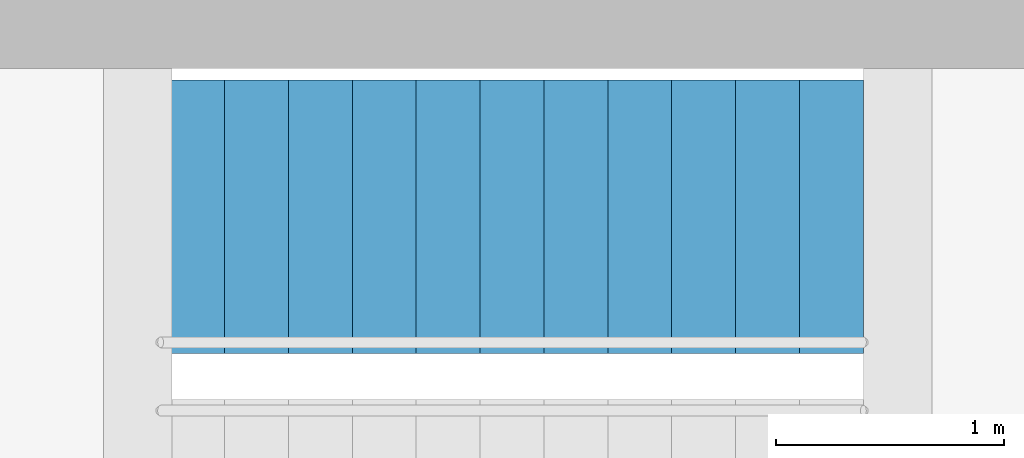
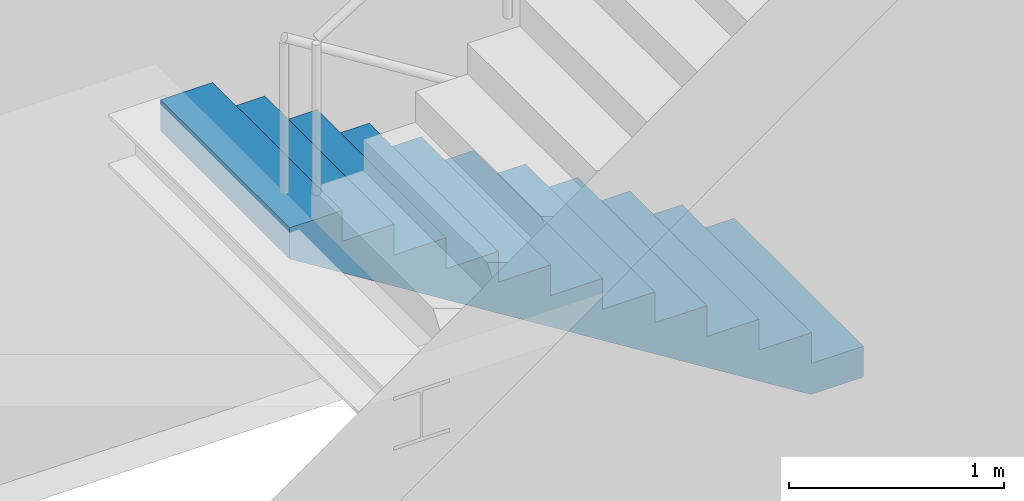
# One storey, part 15 of 16: 1 stair flight, 1 element without a shape of its own.
"""IFC4 building model written with IfcOpenShell, lengths in metres."""

import ifcopenshell
import ifcopenshell.guid

model = None  # the IFC model being written
_history = None  # IfcOwnerHistory: only IFC2X3 demands one
_inside = {}  # id of a spatial element -> (the spatial element, [elements in it])
_under = {}  # id of a project, library or spatial element -> (it, [spatial elements below it])
_declared = {}  # id of a project -> (the project, [libraries it declares])
_typed = {}  # id of a type object -> (the type object, [elements of that type])
_made_of = {}  # id of a material, layer set ... -> (it, [elements and type objects made of it])


def new_model(schema):
    """Start an empty IFC model of exactly this schema.

    Asked for "IFC4X3", IfcOpenShell would pick the latest addendum, in which some entities
    have other attributes; the version numbers below select the first issue.
    IFC2X3 requires an IfcOwnerHistory on every rooted entity: one is made here for all.
    """
    global model, _history
    if schema == "IFC4X3":
        model = ifcopenshell.file(schema_version=(4, 3, 0, 0))
    else:
        model = ifcopenshell.file(schema=schema)
    _inside.clear()
    _under.clear()
    _declared.clear()
    _typed.clear()
    _made_of.clear()
    _history = None
    if model.schema == "IFC2X3":
        org = make("IfcOrganization", Name="unknown")
        user = make(
            "IfcPersonAndOrganization",
            ThePerson=make("IfcPerson", FamilyName="unknown"),
            TheOrganization=org,
        )
        app = make(
            "IfcApplication",
            ApplicationDeveloper=org,
            Version="unknown",
            ApplicationFullName="unknown",
            ApplicationIdentifier="unknown",
        )
        _history = make(
            "IfcOwnerHistory",
            OwningUser=user,
            OwningApplication=app,
            ChangeAction="ADDED",
            CreationDate=0,
        )
    return model


def make(cls, **values):
    """One entity of the class cls with the attributes given. An attribute that is None is left unset."""
    return model.create_entity(
        cls, **{name: value for name, value in values.items() if value is not None}
    )


def rooted(cls, **values):
    """An entity with a GlobalId (a new one), such as an element, a storey or a relation."""
    return make(cls, GlobalId=ifcopenshell.guid.new(), OwnerHistory=_history, **values)


def si_unit(unit_type, name, prefix=None):
    """IfcSIUnit, for example si_unit("LENGTHUNIT", "METRE", prefix="MILLI")."""
    return make("IfcSIUnit", UnitType=unit_type, Prefix=prefix, Name=name)


def assignment(units):
    """IfcUnitAssignment: the units of a project."""
    return None if units is None else make("IfcUnitAssignment", Units=units)


def point(xyz):
    """IfcCartesianPoint."""
    return None if xyz is None else make("IfcCartesianPoint", Coordinates=xyz)


def direction(xyz):
    """IfcDirection."""
    return None if xyz is None else make("IfcDirection", DirectionRatios=xyz)


def frame(location, z_axis=None, x_axis=None):
    """IfcAxis2Placement3D, a coordinate frame: its origin and axes. An axis left out is left unset."""
    return make(
        "IfcAxis2Placement3D",
        Location=point(location),
        Axis=direction(z_axis),
        RefDirection=direction(x_axis),
    )


def origin():
    """The frame at (0, 0, 0) with its axes left unset."""
    return frame((0.0, 0.0, 0.0))


def place(relative_to, where):
    """IfcLocalPlacement: puts the frame where relative to a parent placement (None: the world)."""
    return make(
        "IfcLocalPlacement", PlacementRelTo=relative_to, RelativePlacement=where
    )


def context(
    kind, dimensions, precision=None, world=None, true_north=None, identifier=None
):
    """IfcGeometricRepresentationContext, for example the 3D "Model" context."""
    return make(
        "IfcGeometricRepresentationContext",
        ContextIdentifier=identifier,
        ContextType=kind,
        CoordinateSpaceDimension=dimensions,
        Precision=precision,
        WorldCoordinateSystem=world,
        TrueNorth=true_north,
    )


def subcontext(parent, identifier, kind, view, scale=None):
    """IfcGeometricRepresentationSubContext, for example "Body" below "Model"."""
    return make(
        "IfcGeometricRepresentationSubContext",
        ContextIdentifier=identifier,
        ContextType=kind,
        ParentContext=parent,
        TargetScale=scale,
        TargetView=view,
    )


def project(units=None, contexts=None):
    """IfcProject with its units and contexts."""
    return rooted(
        "IfcProject",
        Name="project",
        RepresentationContexts=contexts,
        UnitsInContext=assignment(units),
    )


def spatial(cls, under=None, at=None, **own):
    """A site, building, storey or space (cls), placed at a placement, below another one or the project."""
    s = rooted(cls, ObjectPlacement=at, **own)
    if under is not None:
        _under.setdefault(under.id(), (under, []))[1].append(s)
    return s


def polyline(points):
    """IfcPolyline through the points."""
    return make("IfcPolyline", Points=[point(p) for p in points])


def outline(outer, holes=None, kind="AREA"):
    """IfcArbitraryClosedProfileDef: a profile drawn as a closed curve; with holes, ...WithVoids."""
    if holes is None:
        return make("IfcArbitraryClosedProfileDef", ProfileType=kind, OuterCurve=outer)
    return make(
        "IfcArbitraryProfileDefWithVoids",
        ProfileType=kind,
        OuterCurve=outer,
        InnerCurves=holes,
    )


def extrude(swept, where, along, depth):
    """IfcExtrudedAreaSolid: the profile swept, set in the frame where, extruded along a direction by depth."""
    return make(
        "IfcExtrudedAreaSolid",
        SweptArea=swept,
        Position=where,
        ExtrudedDirection=direction(along),
        Depth=depth,
    )


def shape(context_of_items, identifier, shape_type, items):
    """IfcShapeRepresentation: the items that make up one representation, for example the "Body"."""
    return make(
        "IfcShapeRepresentation",
        ContextOfItems=context_of_items,
        RepresentationIdentifier=identifier,
        RepresentationType=shape_type,
        Items=items,
    )


def material(Name=None, Category=None):
    """IfcMaterial."""
    return make("IfcMaterial", Name=Name, Category=Category)


def made_of(thing, what):
    """Note that an element or type object is made of a material, layer set ...; save() writes the relation."""
    if what is not None:
        _made_of.setdefault(what.id(), (what, []))[1].append(thing)
    return thing


def type_object(cls, material=None, **own):
    """A type object (cls), such as IfcWallType, which elements share."""
    return made_of(rooted(cls, **own), material)


def element(
    cls,
    number,
    at=None,
    inside=None,
    cuts=None,
    type_object=None,
    material=None,
    context=None,
    identifier="Body",
    shape_type=None,
    held_by="IfcProductDefinitionShape",
    body=None,
    shapes=None,
    **own,
):
    """One element of the class cls, such as IfcWall. Its Tag is "e" and its number.

    at: its placement. inside: the storey or other place that contains it. cuts: it is an
    opening in that element (IfcRelVoidsElement). A single representation is given by context,
    identifier, shape_type and body (its items); several are given by shapes. held_by: the class
    of the entity that holds the representations. save() writes the other relations.
    """
    e = rooted(cls, Tag="e%d" % number, ObjectPlacement=at, **own)
    if body is not None:
        shapes = [shape(context, identifier, shape_type, body)]
    if shapes is not None:
        e.Representation = make(held_by, Representations=shapes)
    if inside is not None:
        _inside.setdefault(inside.id(), (inside, []))[1].append(e)
    if cuts is not None:
        rooted(
            "IfcRelVoidsElement", RelatingBuildingElement=cuts, RelatedOpeningElement=e
        )
    if type_object is not None:
        _typed.setdefault(type_object.id(), (type_object, []))[1].append(e)
    return made_of(e, material)


def aggregate(whole, parts):
    """IfcRelAggregates: a whole, such as a stair, and the parts it consists of."""
    return rooted("IfcRelAggregates", RelatingObject=whole, RelatedObjects=parts)


def save(model, path):
    """Write the relations noted so far, then the file.

    IfcRelAggregates (storeys below a building ...), IfcRelContainedInSpatialStructure (elements
    in a storey), IfcRelDefinesByType, IfcRelAssociatesMaterial and IfcRelDeclares: one each for
    every whole, place, type object, material and project.
    """
    for whole, parts in _under.values():
        aggregate(whole, parts)
    for where, things in _inside.values():
        rooted(
            "IfcRelContainedInSpatialStructure",
            RelatedElements=things,
            RelatingStructure=where,
        )
    for kind, things in _typed.values():
        rooted("IfcRelDefinesByType", RelatedObjects=things, RelatingType=kind)
    for what, things in _made_of.values():
        rooted("IfcRelAssociatesMaterial", RelatedObjects=things, RelatingMaterial=what)
    for by, libraries in _declared.values():
        rooted("IfcRelDeclares", RelatingContext=by, RelatedDefinitions=libraries)
    model.write(path)


model = new_model("IFC4")

# Units and contexts
model_context = context("Model", 3, precision=1e-05, world=origin(), true_north=direction((0.0, 1.0)))
body_context = subcontext(model_context, "Body", "Model", "MODEL_VIEW")
ifc_project = project(units=[si_unit("LENGTHUNIT", "METRE"), si_unit("AREAUNIT", "SQUARE_METRE"), si_unit("VOLUMEUNIT", "CUBIC_METRE"), si_unit("PLANEANGLEUNIT", "RADIAN"), si_unit("MASSUNIT", "GRAM", prefix="KILO")], contexts=[model_context])

# Site, building, storey
site_placement = place(None, origin())
site = spatial("IfcSite", under=ifc_project, at=site_placement, CompositionType="ELEMENT")
building_placement = place(site_placement, origin())
building = spatial("IfcBuilding", under=site, at=building_placement, Name="Rheinbord Bourse Tower", CompositionType="ELEMENT")
storey_placement = place(building_placement, frame((0.0, 0.0, 219.39990234375)))
storey = spatial("IfcBuildingStorey", under=building, at=storey_placement, Name="L49", CompositionType="ELEMENT", Elevation=219.39990234375)

# Stair, stair flight
ifc_material_1 = material(Name="Concrete C30/37", Category="concrete")
stair_type = type_object("IfcStairType", Name="CORE STAIR HALF TURN 4200", PredefinedType="HALF_TURN_STAIR", material=ifc_material_1)
stair_placement = place(storey_placement, origin())
stair = element("IfcStair", 1, at=stair_placement, inside=storey, type_object=stair_type, Name="Stair ST4 L49, type CS6", PredefinedType="HALF_TURN_STAIR")
ifc_material_2 = material(Name="Concrete C30/37", Category="concrete")
stair_flight_type = type_object("IfcStairFlightType", Name="CORE STAIR FLIGHT 1200, 12 RISERS", PredefinedType="STRAIGHT", material=ifc_material_2)
stair_flight_placement = place(storey_placement, frame((52.050048828125, 30.949951171875, 0.0), z_axis=(0.0, 0.0, 1.0), x_axis=(-1.0, 0.0, 0.0)))
stair_flight = element("IfcStairFlight", 2, at=stair_flight_placement, type_object=stair_flight_type, Name="STAIR L49 ST4 F1", NumberOfRisers=12, NumberOfTreads=11, PredefinedType="STRAIGHT", RiserHeight=0.175, TreadLength=0.28, context=body_context, shape_type="SweptSolid", body=[
    extrude(outline(polyline([(0.0, 0.0), (0.0, 0.175048828125), (0.280029296875, 0.175048828125), (0.280029296875, 0.35009765625), (0.56005859375, 0.35009765625), (0.56005859375, 0.52490234375), (0.840087890625, 0.52490234375), (0.840087890625, 0.699951171875), (1.1201171875, 0.699951171875), (1.1201171875, 0.875), (1.39990234375, 0.875), (1.39990234375, 1.050048828125), (1.679931640625, 1.050048828125), (1.679931640625, 1.22509765625), (1.9599609375, 1.22509765625), (1.9599609375, 1.39990234375), (2.239990234375, 1.39990234375), (2.239990234375, 1.574951171875), (2.52001953125, 1.574951171875), (2.52001953125, 1.75), (2.800048828125, 1.75), (2.800048828125, 1.925048828125), (3.080078125, 1.925048828125), (3.080078125, 2.10009765625), (3.080078125, 1.748291015625), (0.28271484375, 0.0), (0.0, 0.0)])), frame((0.0, 0.60009765625, 0.0), z_axis=(0.0, -1.0, 0.0), x_axis=(1.0, 0.0, 0.0)), (0.0, 0.0, 1.0), 1.199951171875),
])
aggregate(stair, [stair_flight])

save(model, "model.ifc")
